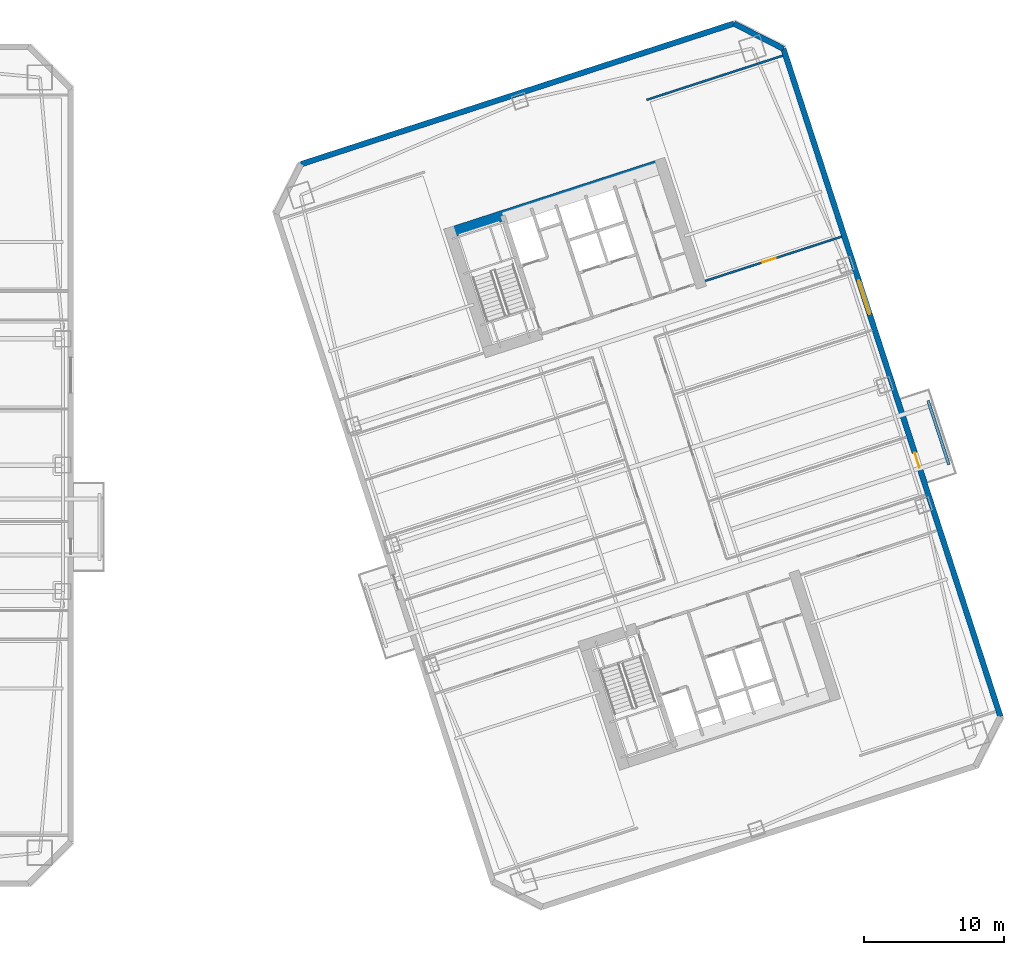
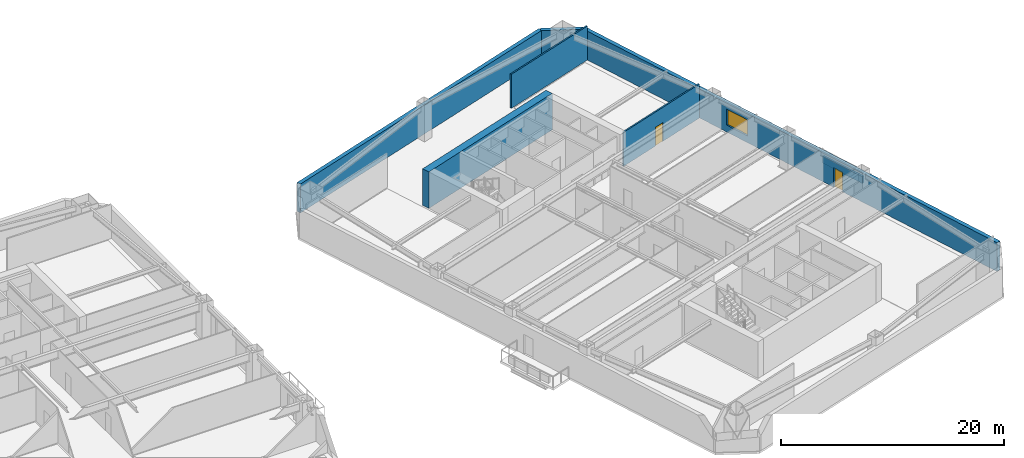
# One storey, part 9 of 18: 7 walls, 2 doors, 1 window, 3 openings.
"""IFC4 building model written with IfcOpenShell, lengths in metres."""

from ifc_helpers import new_model, si_unit, direction, frame, frame_2d, origin, place, context, subcontext, project, spatial, rectangle, extrude, material, layer, layer_set, type_object, element, fill, save


model = new_model("IFC4")

# Units and contexts
model_context = context("Model", 3, precision=1e-05, world=origin(), true_north=direction((0.0, 1.0)))
body_context = subcontext(model_context, "Body", "Model", "MODEL_VIEW")
ifc_project = project(units=[si_unit("LENGTHUNIT", "METRE"), si_unit("AREAUNIT", "SQUARE_METRE"), si_unit("VOLUMEUNIT", "CUBIC_METRE"), si_unit("PLANEANGLEUNIT", "RADIAN"), si_unit("MASSUNIT", "GRAM", prefix="KILO")], contexts=[model_context])

# Site, building, storey
site_placement = place(None, origin())
site = spatial("IfcSite", under=ifc_project, at=site_placement, CompositionType="ELEMENT")
building_placement = place(site_placement, origin())
building = spatial("IfcBuilding", under=site, at=building_placement, Name="Qiaolan Cultural Towers", CompositionType="ELEMENT")
storey_placement = place(building_placement, frame((0.0, 0.0, 38.0)))
storey = spatial("IfcBuildingStorey", under=building, at=storey_placement, Name="L08", CompositionType="ELEMENT", Elevation=38.0)

# Walls
ifc_material_1 = material(Name="Concrete C60", Category="concrete")
ifc_layer_1 = layer(ifc_material_1, 0.75)
ifc_layer_set_1 = layer_set([ifc_layer_1], Name="Concrete C60")
wall_type_1 = type_object("IfcWallType", Name="WL-CORE-750", PredefinedType="SHEAR", material=ifc_layer_set_1)
wall_1_placement = place(storey_placement, frame((76.27197265625, 50.442626953125, 0.0), z_axis=(0.0, 0.0, 1.0), x_axis=(0.951056072937, 0.309018358888, 0.0)))
element("IfcWall", 1, at=wall_1_placement, inside=storey, type_object=wall_type_1, Name="L08 T2-CN Outer Core Shear Wall", PredefinedType="SHEAR", context=body_context, shape_type="SweptSolid", body=[
    extrude(rectangle(XDim=16.550048828125, YDim=0.75, at=frame_2d((8.27490234375, 0.0))), origin(), (0.0, 0.0, 1.0), 4.0),
])
ifc_material_2 = material(Name="Precast Concrete C50 Honed Stone Pier", Category="masonry")
ifc_layer_2 = layer(ifc_material_2, 0.39990234375)
ifc_layer_set_2 = layer_set([ifc_layer_2], Name="Precast Concrete C50 Honed Stone Pier")
wall_type_2 = type_object("IfcWallType", Name="WL-EXT-PIER-400", PredefinedType="SOLIDWALL", material=ifc_layer_set_2)
wall_2_placement = place(storey_placement, frame((66.002197265625, 55.433349609375, 0.0), z_axis=(0.0, 0.0, 1.0), x_axis=(0.951055939317, 0.309018770125, 0.0)))
element("IfcWall", 2, at=wall_2_placement, inside=storey, type_object=wall_type_2, Name="L08 East Tower Precast Pier Facade Wall F3", PredefinedType="SOLIDWALL", context=body_context, shape_type="SweptSolid", body=[
    extrude(rectangle(XDim=32.39990234375, YDim=0.39990234375, at=frame_2d((16.199951171875, 0.0))), origin(), (0.0, 0.0, 1.0), 3.159912109375),
])
wall_3_placement = place(storey_placement, frame((96.81640625, 65.445556640625, 0.0), z_axis=(0.0, 0.0, 1.0), x_axis=(0.890998089617, -0.454007053137, 0.0)))
element("IfcWall", 3, at=wall_3_placement, inside=storey, type_object=wall_type_2, Name="L08 East Tower Precast Pier Facade Wall F4", PredefinedType="SOLIDWALL", context=body_context, shape_type="SweptSolid", body=[
    extrude(rectangle(XDim=3.9599609375, YDim=0.39990234375, at=frame_2d((1.97998046875, 0.0))), origin(), (0.0, 0.0, 1.0), 3.159912109375),
])

# Wall, openings, door, window
wall_4_placement = place(storey_placement, frame((100.3447265625, 63.647705078125, 0.0), z_axis=(0.0, 0.0, 1.0), x_axis=(0.309014526607, -0.951057318118, 0.0)))
wall_4 = element("IfcWall", 4, at=wall_4_placement, inside=storey, type_object=wall_type_2, Name="L08 East Tower Precast Pier Facade Wall F5", PredefinedType="SOLIDWALL", context=body_context, shape_type="SweptSolid", body=[
    extrude(rectangle(XDim=49.999755859375, YDim=0.39990234375, at=frame_2d((25.0, 0.0))), origin(), (0.0, 0.0, 1.0), 3.159912109375),
])
opening_1_placement = place(wall_4_placement, frame((17.35009765625, 0.0, 0.75)))
opening_1 = element("IfcOpeningElement", 5, at=opening_1_placement, cuts=wall_4, Name="Opening W-01", PredefinedType="OPENING", context=body_context, shape_type="SweptSolid", body=[
    extrude(rectangle(XDim=2.5, YDim=1.75, at=frame_2d((1.25, 0.875))), frame((0.0, 0.2099609375, 0.0), z_axis=(0.0, -1.0, 0.0), x_axis=(1.0, 0.0, 0.0)), (0.0, 0.0, 1.0), 0.419921875),
])
opening_2_placement = place(wall_4_placement, frame((30.25, 0.0, 0.0)))
opening_2 = element("IfcOpeningElement", 6, at=opening_2_placement, cuts=wall_4, Name="Opening BD-01", PredefinedType="OPENING", context=body_context, shape_type="SweptSolid", body=[
    extrude(rectangle(XDim=1.10009765625, YDim=2.14990234375, at=frame_2d((0.550048828125, 1.074951171875))), frame((0.0, 0.2099609375, 0.0), z_axis=(0.0, -1.0, 0.0), x_axis=(1.0, 0.0, 0.0)), (0.0, 0.0, 1.0), 0.419921875),
])
ifc_material_3 = material(Name="Thermally Broken Aluminium Glazed Terrace Door", Category="aluminium")
door_type_1 = type_object("IfcDoorType", Name="DR-BAL-1100", OperationType="NOTDEFINED", PredefinedType="DOOR", material=ifc_material_3)
door_1_placement = place(opening_2_placement, origin())
door_1 = element("IfcDoor", 7, at=door_1_placement, inside=storey, type_object=door_type_1, Name="L08 T2 East Tree Balcony Door", OperationType="SINGLE_SWING_RIGHT", OverallHeight=2.14990234375, OverallWidth=1.10009765625, PredefinedType="DOOR", context=body_context, shape_type="SweptSolid", body=[
    extrude(rectangle(XDim=1.10009765625, YDim=2.14990234375, at=frame_2d((0.550048828125, 1.074951171875))), frame((0.0, 0.02490234375, 0.0), z_axis=(0.0, -1.0, 0.0), x_axis=(1.0, 0.0, 0.0)), (0.0, 0.0, 1.0), 0.050048828125),
])
fill(opening_2, door_1)
ifc_material_4 = material(Name="Thermally Broken Aluminium Triple Low-E Glazing", Category="aluminium")
window_type = type_object("IfcWindowType", Name="WN-CHIC-2500", PartitioningType="SINGLE_PANEL", PredefinedType="WINDOW", material=ifc_material_4)
window_placement = place(opening_1_placement, origin())
window = element("IfcWindow", 8, at=window_placement, inside=storey, type_object=window_type, Name="L08 T2 E Chicago Bay Window 1", OverallHeight=1.75, OverallWidth=2.5, PartitioningType="TRIPLE_PANEL_VERTICAL", PredefinedType="WINDOW", context=body_context, shape_type="SweptSolid", body=[
    extrude(rectangle(XDim=2.5, YDim=1.75, at=frame_2d((1.25, 0.875))), frame((0.0, 0.030029296875, 0.0), z_axis=(0.0, -1.0, 0.0), x_axis=(1.0, 0.0, 0.0)), (0.0, 0.0, 1.0), 0.06005859375),
])
fill(opening_1, window)

# Wall
ifc_material_5 = material(Name="Autoclaved Aerated Concrete Block B06", Category="concrete")
ifc_layer_3 = layer(ifc_material_5, 0.14990234375)
ifc_layer_set_3 = layer_set([ifc_layer_3], Name="Autoclaved Aerated Concrete Block B06")
wall_type_3 = type_object("IfcWallType", Name="WL-PART-150", PredefinedType="PARTITIONING", material=ifc_layer_set_3)
wall_5_placement = place(storey_placement, frame((90.5927734375, 60.006103515625, 0.0), z_axis=(0.0, 0.0, 1.0), x_axis=(0.951059043131, 0.309009217467, 0.0)))
element("IfcWall", 9, at=wall_5_placement, inside=storey, type_object=wall_type_3, Name="L08 T2 Flank Wall FLK-NE", PredefinedType="PARTITIONING", context=body_context, shape_type="SweptSolid", body=[
    extrude(rectangle(XDim=10.199951171875, YDim=0.14990234375, at=frame_2d((5.10009765625, 0.0))), origin(), (0.0, 0.0, 1.0), 3.72509765625),
])

# Wall, opening, door
wall_6_placement = place(storey_placement, frame((94.77978515625, 47.119140625, 0.0), z_axis=(0.0, 0.0, 1.0), x_axis=(0.951054294345, 0.309023832749, 0.0)))
wall_6 = element("IfcWall", 10, at=wall_6_placement, inside=storey, type_object=wall_type_3, Name="L08 T2 Flank Front FLK-NE", PredefinedType="PARTITIONING", context=body_context, shape_type="SweptSolid", body=[
    extrude(rectangle(XDim=10.2001953125, YDim=0.14990234375, at=frame_2d((5.10009765625, 0.0))), origin(), (0.0, 0.0, 1.0), 3.72509765625),
])
opening_3_placement = place(wall_6_placement, frame((4.283935546875, 0.0, 0.0)))
opening_3 = element("IfcOpeningElement", 11, at=opening_3_placement, cuts=wall_6, Name="Opening ID-04", PredefinedType="OPENING", context=body_context, shape_type="SweptSolid", body=[
    extrude(rectangle(XDim=1.0, YDim=2.050048828125, at=frame_2d((0.5, 1.02490234375))), frame((0.0, 0.0849609375, 0.0), z_axis=(0.0, -1.0, 0.0), x_axis=(1.0, 0.0, 0.0)), (0.0, 0.0, 1.0), 0.169921875),
])
ifc_material_6 = material(Name="Oak Veneer Acoustic Office Door", Category="timber")
door_type_2 = type_object("IfcDoorType", Name="DR-INT-1000", OperationType="NOTDEFINED", PredefinedType="DOOR", material=ifc_material_6)
door_2_placement = place(opening_3_placement, origin())
door_2 = element("IfcDoor", 12, at=door_2_placement, inside=storey, type_object=door_type_2, Name="L08 T2 Corner Studio Door", OperationType="SINGLE_SWING_LEFT", OverallHeight=2.050048828125, OverallWidth=1.0, PredefinedType="DOOR", context=body_context, shape_type="SweptSolid", body=[
    extrude(rectangle(XDim=1.0, YDim=2.050048828125, at=frame_2d((0.5, 1.02490234375))), frame((0.0, 0.02490234375, 0.0), z_axis=(0.0, -1.0, 0.0), x_axis=(1.0, 0.0, 0.0)), (0.0, 0.0, 1.0), 0.050048828125),
])
fill(opening_3, door_2)

# Wall
ifc_material_7 = material(Name="Precast Concrete C45 Tree Planter Upstand", Category="concrete")
ifc_layer_4 = layer(ifc_material_7, 0.199951171875)
ifc_layer_set_4 = layer_set([ifc_layer_4], Name="Precast Concrete C45 Tree Planter Upstand")
wall_type_4 = type_object("IfcWallType", Name="WL-PLANTER-200", PredefinedType="PARAPET", material=ifc_layer_set_4)
wall_7_placement = place(storey_placement, frame((112.12109375, 34.03759765625, 0.0), z_axis=(0.0, 0.0, 1.0), x_axis=(-0.309032019345, 0.951051634255, 0.0)))
element("IfcWall", 13, at=wall_7_placement, inside=storey, type_object=wall_type_4, Name="L08 T2 Tree Balcony Soil Planter Box E", PredefinedType="PARAPET", context=body_context, shape_type="SweptSolid", body=[
    extrude(rectangle(XDim=4.800048828125, YDim=0.199951171875, at=frame_2d((2.39990234375, 0.0))), origin(), (0.0, 0.0, 1.0), 0.75),
])

save(model, "model.ifc")
